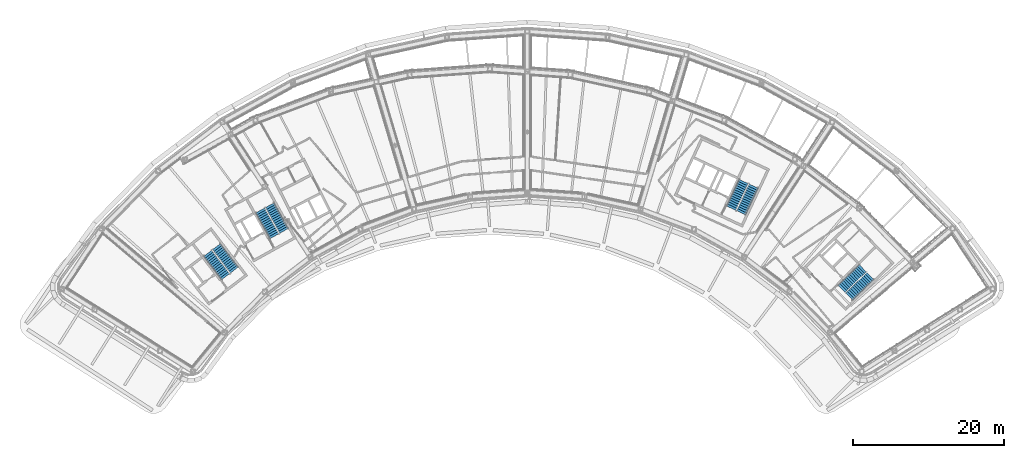
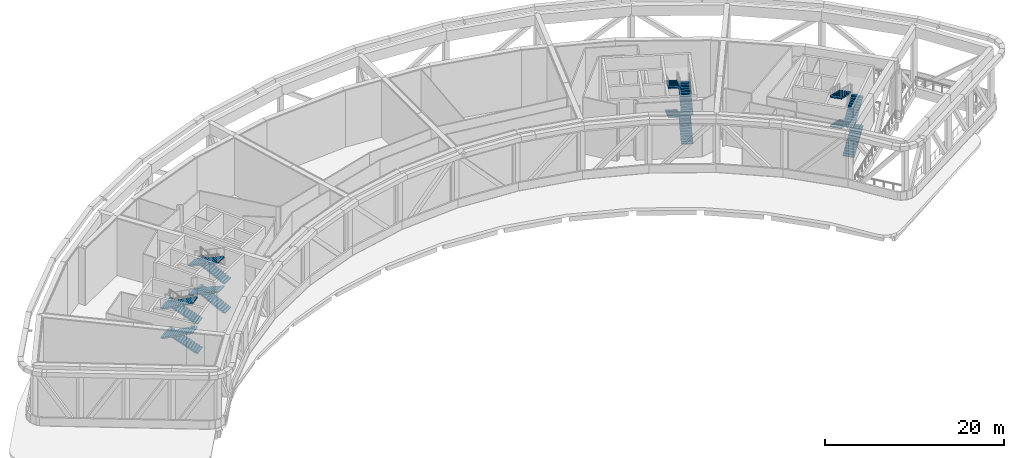
# One storey, part 13 of 27: 16 stair flights, 4 elements without a shape of their own.
"""IFC4 building model written with IfcOpenShell, lengths in metres."""

from ifc_helpers import new_model, si_unit, direction, frame, origin, place, context, subcontext, project, spatial, polyline, outline, extrude, material, type_object, element, aggregate, save


model = new_model("IFC4")

# Units and contexts
model_context = context("Model", 3, precision=1e-05, world=origin(), true_north=direction((0.0, 1.0)))
body_context = subcontext(model_context, "Body", "Model", "MODEL_VIEW")
ifc_project = project(units=[si_unit("LENGTHUNIT", "METRE"), si_unit("AREAUNIT", "SQUARE_METRE"), si_unit("VOLUMEUNIT", "CUBIC_METRE"), si_unit("PLANEANGLEUNIT", "RADIAN"), si_unit("MASSUNIT", "GRAM", prefix="KILO")], contexts=[model_context])

# Site, building, storey
site_placement = place(None, origin())
site = spatial("IfcSite", under=ifc_project, at=site_placement, CompositionType="ELEMENT")
building_placement = place(site_placement, origin())
building = spatial("IfcBuilding", under=site, at=building_placement, Name="Tuul Gate Civic Tower", CompositionType="ELEMENT")
storey_placement = place(building_placement, frame((0.0, 0.0, 201.5)))
storey = spatial("IfcBuildingStorey", under=building, at=storey_placement, Name="Wind floor 1", CompositionType="ELEMENT", Elevation=201.5)

# Stair, stair flights
ifc_material_1 = material(Name="Concrete C40/50", Category="concrete")
stair_type = type_object("IfcStairType", Name="Exit stair", PredefinedType="HALF_TURN_STAIR", material=ifc_material_1)
stair_1_placement = place(storey_placement, origin())
stair_1 = element("IfcStair", 1, at=stair_1_placement, inside=storey, type_object=stair_type, Name="Wind floor 1 ST-1", PredefinedType="HALF_TURN_STAIR")
ifc_material_2 = material(Name="Concrete C40/50", Category="concrete")
stair_flight_type = type_object("IfcStairFlightType", Name="Exit stair flight", PredefinedType="STRAIGHT", material=ifc_material_2)
stair_flight_1_placement = place(storey_placement, frame((-32.875244140625, -13.066650390625, 0.0), z_axis=(0.0, 0.0, 1.0), x_axis=(-0.605764474941, 0.795644016442, 0.0)))
stair_flight_1 = element("IfcStairFlight", 2, at=stair_flight_1_placement, type_object=stair_flight_type, Name="ST-1 flight 1", NumberOfRisers=14, NumberOfTreads=13, PredefinedType="STRAIGHT", RiserHeight=0.142857143, TreadLength=0.3, context=body_context, shape_type="SweptSolid", body=[
    extrude(outline(polyline([(0.0, 0.0), (0.0, 0.142822265625), (0.300048828125, 0.142822265625), (0.300048828125, 0.28564453125), (0.60009765625, 0.28564453125), (0.60009765625, 0.428466796875), (0.89990234375, 0.428466796875), (0.89990234375, 0.571533203125), (1.199951171875, 0.571533203125), (1.199951171875, 0.71435546875), (1.5, 0.71435546875), (1.5, 0.857177734375), (1.800048828125, 0.857177734375), (1.800048828125, 1.0), (2.10009765625, 1.0), (2.10009765625, 1.142822265625), (2.39990234375, 1.142822265625), (2.39990234375, 1.28564453125), (2.699951171875, 1.28564453125), (2.699951171875, 1.428466796875), (3.0, 1.428466796875), (3.0, 1.571533203125), (3.300048828125, 1.571533203125), (3.300048828125, 1.71435546875), (3.60009765625, 1.71435546875), (3.60009765625, 1.857177734375), (3.89990234375, 1.857177734375), (3.89990234375, 2.0), (3.89990234375, 1.691162109375), (0.3486328125, 0.0), (0.0, 0.0)])), frame((0.0, 0.675048828125, 0.0), z_axis=(0.0, -1.0, 0.0), x_axis=(1.0, 0.0, 0.0)), (0.0, 0.0, 1.0), 1.35009765625),
])
stair_flight_2_placement = place(storey_placement, frame((-36.391357421875, -10.842041015625, 2.0), z_axis=(0.0, 0.0, 1.0), x_axis=(0.605764474941, -0.795644016442, 0.0)))
stair_flight_2 = element("IfcStairFlight", 3, at=stair_flight_2_placement, type_object=stair_flight_type, Name="ST-1 flight 2", NumberOfRisers=14, NumberOfTreads=13, PredefinedType="STRAIGHT", RiserHeight=0.142857143, TreadLength=0.3, context=body_context, shape_type="SweptSolid", body=[
    extrude(outline(polyline([(0.0, 0.0), (0.0, 0.142822265625), (0.300048828125, 0.142822265625), (0.300048828125, 0.28564453125), (0.60009765625, 0.28564453125), (0.60009765625, 0.428466796875), (0.89990234375, 0.428466796875), (0.89990234375, 0.571533203125), (1.199951171875, 0.571533203125), (1.199951171875, 0.71435546875), (1.5, 0.71435546875), (1.5, 0.857177734375), (1.800048828125, 0.857177734375), (1.800048828125, 1.0), (2.10009765625, 1.0), (2.10009765625, 1.142822265625), (2.39990234375, 1.142822265625), (2.39990234375, 1.28564453125), (2.699951171875, 1.28564453125), (2.699951171875, 1.428466796875), (3.0, 1.428466796875), (3.0, 1.571533203125), (3.300048828125, 1.571533203125), (3.300048828125, 1.71435546875), (3.60009765625, 1.71435546875), (3.60009765625, 1.857177734375), (3.89990234375, 1.857177734375), (3.89990234375, 2.0), (3.89990234375, 1.691162109375), (0.3486328125, 0.0), (0.0, 0.0)])), frame((0.0, 0.675048828125, 0.0), z_axis=(0.0, -1.0, 0.0), x_axis=(1.0, 0.0, 0.0)), (0.0, 0.0, 1.0), 1.35009765625),
])
stair_flight_3_placement = place(storey_placement, frame((-32.875244140625, -13.066650390625, 4.0), z_axis=(0.0, 0.0, 1.0), x_axis=(-0.605764474941, 0.795644016442, 0.0)))
stair_flight_3 = element("IfcStairFlight", 4, at=stair_flight_3_placement, type_object=stair_flight_type, Name="ST-1 flight 3", NumberOfRisers=14, NumberOfTreads=13, PredefinedType="STRAIGHT", RiserHeight=0.142857143, TreadLength=0.3, context=body_context, shape_type="SweptSolid", body=[
    extrude(outline(polyline([(0.0, 0.0), (0.0, 0.142822265625), (0.300048828125, 0.142822265625), (0.300048828125, 0.28564453125), (0.60009765625, 0.28564453125), (0.60009765625, 0.428466796875), (0.89990234375, 0.428466796875), (0.89990234375, 0.571533203125), (1.199951171875, 0.571533203125), (1.199951171875, 0.71435546875), (1.5, 0.71435546875), (1.5, 0.857177734375), (1.800048828125, 0.857177734375), (1.800048828125, 1.0), (2.10009765625, 1.0), (2.10009765625, 1.142822265625), (2.39990234375, 1.142822265625), (2.39990234375, 1.28564453125), (2.699951171875, 1.28564453125), (2.699951171875, 1.428466796875), (3.0, 1.428466796875), (3.0, 1.571533203125), (3.300048828125, 1.571533203125), (3.300048828125, 1.71435546875), (3.60009765625, 1.71435546875), (3.60009765625, 1.857177734375), (3.89990234375, 1.857177734375), (3.89990234375, 2.0), (3.89990234375, 1.691162109375), (0.3486328125, 0.0), (0.0, 0.0)])), frame((0.0, 0.675048828125, 0.0), z_axis=(0.0, -1.0, 0.0), x_axis=(1.0, 0.0, 0.0)), (0.0, 0.0, 1.0), 1.35009765625),
])
stair_flight_4_placement = place(storey_placement, frame((-36.391357421875, -10.842041015625, 6.0), z_axis=(0.0, 0.0, 1.0), x_axis=(0.605764474941, -0.795644016442, 0.0)))
stair_flight_4 = element("IfcStairFlight", 5, at=stair_flight_4_placement, type_object=stair_flight_type, Name="ST-1 flight 4", NumberOfRisers=14, NumberOfTreads=13, PredefinedType="STRAIGHT", RiserHeight=0.142857143, TreadLength=0.3, context=body_context, shape_type="SweptSolid", body=[
    extrude(outline(polyline([(0.0, 0.0), (0.0, 0.142822265625), (0.300048828125, 0.142822265625), (0.300048828125, 0.28564453125), (0.60009765625, 0.28564453125), (0.60009765625, 0.428466796875), (0.89990234375, 0.428466796875), (0.89990234375, 0.571533203125), (1.199951171875, 0.571533203125), (1.199951171875, 0.71435546875), (1.5, 0.71435546875), (1.5, 0.857177734375), (1.800048828125, 0.857177734375), (1.800048828125, 1.0), (2.10009765625, 1.0), (2.10009765625, 1.142822265625), (2.39990234375, 1.142822265625), (2.39990234375, 1.28564453125), (2.699951171875, 1.28564453125), (2.699951171875, 1.428466796875), (3.0, 1.428466796875), (3.0, 1.571533203125), (3.300048828125, 1.571533203125), (3.300048828125, 1.71435546875), (3.60009765625, 1.71435546875), (3.60009765625, 1.857177734375), (3.89990234375, 1.857177734375), (3.89990234375, 2.0), (3.89990234375, 1.691162109375), (0.3486328125, 0.0), (0.0, 0.0)])), frame((0.0, 0.675048828125, 0.0), z_axis=(0.0, -1.0, 0.0), x_axis=(1.0, 0.0, 0.0)), (0.0, 0.0, 1.0), 1.35009765625),
])
aggregate(stair_1, [stair_flight_1, stair_flight_2, stair_flight_3, stair_flight_4])

stair_2_placement = place(storey_placement, origin())
stair_2 = element("IfcStair", 6, at=stair_2_placement, inside=storey, type_object=stair_type, Name="Wind floor 1 ST-2", PredefinedType="HALF_TURN_STAIR")
stair_flight_5_placement = place(storey_placement, frame((-26.29150390625, -7.87646484375, 0.0), z_axis=(0.0, 0.0, 1.0), x_axis=(-0.484761763766, 0.874646232708, 0.0)))
stair_flight_5 = element("IfcStairFlight", 7, at=stair_flight_5_placement, type_object=stair_flight_type, Name="ST-2 flight 1", NumberOfRisers=14, NumberOfTreads=13, PredefinedType="STRAIGHT", RiserHeight=0.142857143, TreadLength=0.3, context=body_context, shape_type="SweptSolid", body=[
    extrude(outline(polyline([(0.0, 0.0), (0.0, 0.142822265625), (0.300048828125, 0.142822265625), (0.300048828125, 0.28564453125), (0.60009765625, 0.28564453125), (0.60009765625, 0.428466796875), (0.89990234375, 0.428466796875), (0.89990234375, 0.571533203125), (1.199951171875, 0.571533203125), (1.199951171875, 0.71435546875), (1.5, 0.71435546875), (1.5, 0.857177734375), (1.800048828125, 0.857177734375), (1.800048828125, 1.0), (2.10009765625, 1.0), (2.10009765625, 1.142822265625), (2.39990234375, 1.142822265625), (2.39990234375, 1.28564453125), (2.699951171875, 1.28564453125), (2.699951171875, 1.428466796875), (3.0, 1.428466796875), (3.0, 1.571533203125), (3.300048828125, 1.571533203125), (3.300048828125, 1.71435546875), (3.60009765625, 1.71435546875), (3.60009765625, 1.857177734375), (3.89990234375, 1.857177734375), (3.89990234375, 2.0), (3.89990234375, 1.691162109375), (0.3486328125, 0.0), (0.0, 0.0)])), frame((0.0, 0.675048828125, 0.0), z_axis=(0.0, -1.0, 0.0), x_axis=(1.0, 0.0, 0.0)), (0.0, 0.0, 1.0), 1.35009765625),
])
stair_flight_6_placement = place(storey_placement, frame((-29.450439453125, -5.168212890625, 2.0), z_axis=(0.0, 0.0, 1.0), x_axis=(0.484761763766, -0.874646232708, 0.0)))
stair_flight_6 = element("IfcStairFlight", 8, at=stair_flight_6_placement, type_object=stair_flight_type, Name="ST-2 flight 2", NumberOfRisers=14, NumberOfTreads=13, PredefinedType="STRAIGHT", RiserHeight=0.142857143, TreadLength=0.3, context=body_context, shape_type="SweptSolid", body=[
    extrude(outline(polyline([(0.0, 0.0), (0.0, 0.142822265625), (0.300048828125, 0.142822265625), (0.300048828125, 0.28564453125), (0.60009765625, 0.28564453125), (0.60009765625, 0.428466796875), (0.89990234375, 0.428466796875), (0.89990234375, 0.571533203125), (1.199951171875, 0.571533203125), (1.199951171875, 0.71435546875), (1.5, 0.71435546875), (1.5, 0.857177734375), (1.800048828125, 0.857177734375), (1.800048828125, 1.0), (2.10009765625, 1.0), (2.10009765625, 1.142822265625), (2.39990234375, 1.142822265625), (2.39990234375, 1.28564453125), (2.699951171875, 1.28564453125), (2.699951171875, 1.428466796875), (3.0, 1.428466796875), (3.0, 1.571533203125), (3.300048828125, 1.571533203125), (3.300048828125, 1.71435546875), (3.60009765625, 1.71435546875), (3.60009765625, 1.857177734375), (3.89990234375, 1.857177734375), (3.89990234375, 2.0), (3.89990234375, 1.691162109375), (0.3486328125, 0.0), (0.0, 0.0)])), frame((0.0, 0.675048828125, 0.0), z_axis=(0.0, -1.0, 0.0), x_axis=(1.0, 0.0, 0.0)), (0.0, 0.0, 1.0), 1.35009765625),
])
stair_flight_7_placement = place(storey_placement, frame((-26.29150390625, -7.87646484375, 4.0), z_axis=(0.0, 0.0, 1.0), x_axis=(-0.484761763766, 0.874646232708, 0.0)))
stair_flight_7 = element("IfcStairFlight", 9, at=stair_flight_7_placement, type_object=stair_flight_type, Name="ST-2 flight 3", NumberOfRisers=14, NumberOfTreads=13, PredefinedType="STRAIGHT", RiserHeight=0.142857143, TreadLength=0.3, context=body_context, shape_type="SweptSolid", body=[
    extrude(outline(polyline([(0.0, 0.0), (0.0, 0.142822265625), (0.300048828125, 0.142822265625), (0.300048828125, 0.28564453125), (0.60009765625, 0.28564453125), (0.60009765625, 0.428466796875), (0.89990234375, 0.428466796875), (0.89990234375, 0.571533203125), (1.199951171875, 0.571533203125), (1.199951171875, 0.71435546875), (1.5, 0.71435546875), (1.5, 0.857177734375), (1.800048828125, 0.857177734375), (1.800048828125, 1.0), (2.10009765625, 1.0), (2.10009765625, 1.142822265625), (2.39990234375, 1.142822265625), (2.39990234375, 1.28564453125), (2.699951171875, 1.28564453125), (2.699951171875, 1.428466796875), (3.0, 1.428466796875), (3.0, 1.571533203125), (3.300048828125, 1.571533203125), (3.300048828125, 1.71435546875), (3.60009765625, 1.71435546875), (3.60009765625, 1.857177734375), (3.89990234375, 1.857177734375), (3.89990234375, 2.0), (3.89990234375, 1.691162109375), (0.3486328125, 0.0), (0.0, 0.0)])), frame((0.0, 0.675048828125, 0.0), z_axis=(0.0, -1.0, 0.0), x_axis=(1.0, 0.0, 0.0)), (0.0, 0.0, 1.0), 1.35009765625),
])
stair_flight_8_placement = place(storey_placement, frame((-29.450439453125, -5.168212890625, 6.0), z_axis=(0.0, 0.0, 1.0), x_axis=(0.484761763766, -0.874646232708, 0.0)))
stair_flight_8 = element("IfcStairFlight", 10, at=stair_flight_8_placement, type_object=stair_flight_type, Name="ST-2 flight 4", NumberOfRisers=14, NumberOfTreads=13, PredefinedType="STRAIGHT", RiserHeight=0.142857143, TreadLength=0.3, context=body_context, shape_type="SweptSolid", body=[
    extrude(outline(polyline([(0.0, 0.0), (0.0, 0.142822265625), (0.300048828125, 0.142822265625), (0.300048828125, 0.28564453125), (0.60009765625, 0.28564453125), (0.60009765625, 0.428466796875), (0.89990234375, 0.428466796875), (0.89990234375, 0.571533203125), (1.199951171875, 0.571533203125), (1.199951171875, 0.71435546875), (1.5, 0.71435546875), (1.5, 0.857177734375), (1.800048828125, 0.857177734375), (1.800048828125, 1.0), (2.10009765625, 1.0), (2.10009765625, 1.142822265625), (2.39990234375, 1.142822265625), (2.39990234375, 1.28564453125), (2.699951171875, 1.28564453125), (2.699951171875, 1.428466796875), (3.0, 1.428466796875), (3.0, 1.571533203125), (3.300048828125, 1.571533203125), (3.300048828125, 1.71435546875), (3.60009765625, 1.71435546875), (3.60009765625, 1.857177734375), (3.89990234375, 1.857177734375), (3.89990234375, 2.0), (3.89990234375, 1.691162109375), (0.3486328125, 0.0), (0.0, 0.0)])), frame((0.0, 0.675048828125, 0.0), z_axis=(0.0, -1.0, 0.0), x_axis=(1.0, 0.0, 0.0)), (0.0, 0.0, 1.0), 1.35009765625),
])
aggregate(stair_2, [stair_flight_5, stair_flight_6, stair_flight_7, stair_flight_8])

stair_3_placement = place(storey_placement, origin())
stair_3 = element("IfcStair", 11, at=stair_3_placement, inside=storey, type_object=stair_type, Name="Wind floor 1 ST-3", PredefinedType="HALF_TURN_STAIR")
stair_flight_9_placement = place(storey_placement, frame((48.61376953125, -16.581787109375, 0.0), z_axis=(0.0, 0.0, 1.0), x_axis=(0.714127290059, 0.700015866672, 0.0)))
stair_flight_9 = element("IfcStairFlight", 12, at=stair_flight_9_placement, type_object=stair_flight_type, Name="ST-3 flight 1", NumberOfRisers=14, NumberOfTreads=13, PredefinedType="STRAIGHT", RiserHeight=0.142857143, TreadLength=0.3, context=body_context, shape_type="SweptSolid", body=[
    extrude(outline(polyline([(0.0, 0.0), (0.0, 0.142822265625), (0.300048828125, 0.142822265625), (0.300048828125, 0.28564453125), (0.60009765625, 0.28564453125), (0.60009765625, 0.428466796875), (0.89990234375, 0.428466796875), (0.89990234375, 0.571533203125), (1.199951171875, 0.571533203125), (1.199951171875, 0.71435546875), (1.5, 0.71435546875), (1.5, 0.857177734375), (1.800048828125, 0.857177734375), (1.800048828125, 1.0), (2.10009765625, 1.0), (2.10009765625, 1.142822265625), (2.39990234375, 1.142822265625), (2.39990234375, 1.28564453125), (2.699951171875, 1.28564453125), (2.699951171875, 1.428466796875), (3.0, 1.428466796875), (3.0, 1.571533203125), (3.300048828125, 1.571533203125), (3.300048828125, 1.71435546875), (3.60009765625, 1.71435546875), (3.60009765625, 1.857177734375), (3.89990234375, 1.857177734375), (3.89990234375, 2.0), (3.89990234375, 1.691162109375), (0.3486328125, 0.0), (0.0, 0.0)])), frame((0.0, 0.675048828125, 0.0), z_axis=(0.0, -1.0, 0.0), x_axis=(1.0, 0.0, 0.0)), (0.0, 0.0, 1.0), 1.35009765625),
])
stair_flight_10_placement = place(storey_placement, frame((50.3837890625, -12.816162109375, 2.0), z_axis=(0.0, 0.0, 1.0), x_axis=(-0.714127290059, -0.700015866672, 0.0)))
stair_flight_10 = element("IfcStairFlight", 13, at=stair_flight_10_placement, type_object=stair_flight_type, Name="ST-3 flight 2", NumberOfRisers=14, NumberOfTreads=13, PredefinedType="STRAIGHT", RiserHeight=0.142857143, TreadLength=0.3, context=body_context, shape_type="SweptSolid", body=[
    extrude(outline(polyline([(0.0, 0.0), (0.0, 0.142822265625), (0.300048828125, 0.142822265625), (0.300048828125, 0.28564453125), (0.60009765625, 0.28564453125), (0.60009765625, 0.428466796875), (0.89990234375, 0.428466796875), (0.89990234375, 0.571533203125), (1.199951171875, 0.571533203125), (1.199951171875, 0.71435546875), (1.5, 0.71435546875), (1.5, 0.857177734375), (1.800048828125, 0.857177734375), (1.800048828125, 1.0), (2.10009765625, 1.0), (2.10009765625, 1.142822265625), (2.39990234375, 1.142822265625), (2.39990234375, 1.28564453125), (2.699951171875, 1.28564453125), (2.699951171875, 1.428466796875), (3.0, 1.428466796875), (3.0, 1.571533203125), (3.300048828125, 1.571533203125), (3.300048828125, 1.71435546875), (3.60009765625, 1.71435546875), (3.60009765625, 1.857177734375), (3.89990234375, 1.857177734375), (3.89990234375, 2.0), (3.89990234375, 1.691162109375), (0.3486328125, 0.0), (0.0, 0.0)])), frame((0.0, 0.675048828125, 0.0), z_axis=(0.0, -1.0, 0.0), x_axis=(1.0, 0.0, 0.0)), (0.0, 0.0, 1.0), 1.35009765625),
])
stair_flight_11_placement = place(storey_placement, frame((48.61376953125, -16.581787109375, 4.0), z_axis=(0.0, 0.0, 1.0), x_axis=(0.714127290059, 0.700015866672, 0.0)))
stair_flight_11 = element("IfcStairFlight", 14, at=stair_flight_11_placement, type_object=stair_flight_type, Name="ST-3 flight 3", NumberOfRisers=14, NumberOfTreads=13, PredefinedType="STRAIGHT", RiserHeight=0.142857143, TreadLength=0.3, context=body_context, shape_type="SweptSolid", body=[
    extrude(outline(polyline([(0.0, 0.0), (0.0, 0.142822265625), (0.300048828125, 0.142822265625), (0.300048828125, 0.28564453125), (0.60009765625, 0.28564453125), (0.60009765625, 0.428466796875), (0.89990234375, 0.428466796875), (0.89990234375, 0.571533203125), (1.199951171875, 0.571533203125), (1.199951171875, 0.71435546875), (1.5, 0.71435546875), (1.5, 0.857177734375), (1.800048828125, 0.857177734375), (1.800048828125, 1.0), (2.10009765625, 1.0), (2.10009765625, 1.142822265625), (2.39990234375, 1.142822265625), (2.39990234375, 1.28564453125), (2.699951171875, 1.28564453125), (2.699951171875, 1.428466796875), (3.0, 1.428466796875), (3.0, 1.571533203125), (3.300048828125, 1.571533203125), (3.300048828125, 1.71435546875), (3.60009765625, 1.71435546875), (3.60009765625, 1.857177734375), (3.89990234375, 1.857177734375), (3.89990234375, 2.0), (3.89990234375, 1.691162109375), (0.3486328125, 0.0), (0.0, 0.0)])), frame((0.0, 0.675048828125, 0.0), z_axis=(0.0, -1.0, 0.0), x_axis=(1.0, 0.0, 0.0)), (0.0, 0.0, 1.0), 1.35009765625),
])
stair_flight_12_placement = place(storey_placement, frame((50.3837890625, -12.816162109375, 6.0), z_axis=(0.0, 0.0, 1.0), x_axis=(-0.714127290059, -0.700015866672, 0.0)))
stair_flight_12 = element("IfcStairFlight", 15, at=stair_flight_12_placement, type_object=stair_flight_type, Name="ST-3 flight 4", NumberOfRisers=14, NumberOfTreads=13, PredefinedType="STRAIGHT", RiserHeight=0.142857143, TreadLength=0.3, context=body_context, shape_type="SweptSolid", body=[
    extrude(outline(polyline([(0.0, 0.0), (0.0, 0.142822265625), (0.300048828125, 0.142822265625), (0.300048828125, 0.28564453125), (0.60009765625, 0.28564453125), (0.60009765625, 0.428466796875), (0.89990234375, 0.428466796875), (0.89990234375, 0.571533203125), (1.199951171875, 0.571533203125), (1.199951171875, 0.71435546875), (1.5, 0.71435546875), (1.5, 0.857177734375), (1.800048828125, 0.857177734375), (1.800048828125, 1.0), (2.10009765625, 1.0), (2.10009765625, 1.142822265625), (2.39990234375, 1.142822265625), (2.39990234375, 1.28564453125), (2.699951171875, 1.28564453125), (2.699951171875, 1.428466796875), (3.0, 1.428466796875), (3.0, 1.571533203125), (3.300048828125, 1.571533203125), (3.300048828125, 1.71435546875), (3.60009765625, 1.71435546875), (3.60009765625, 1.857177734375), (3.89990234375, 1.857177734375), (3.89990234375, 2.0), (3.89990234375, 1.691162109375), (0.3486328125, 0.0), (0.0, 0.0)])), frame((0.0, 0.675048828125, 0.0), z_axis=(0.0, -1.0, 0.0), x_axis=(1.0, 0.0, 0.0)), (0.0, 0.0, 1.0), 1.35009765625),
])
aggregate(stair_3, [stair_flight_9, stair_flight_10, stair_flight_11, stair_flight_12])

stair_4_placement = place(storey_placement, origin())
stair_4 = element("IfcStair", 16, at=stair_4_placement, inside=storey, type_object=stair_type, Name="Wind floor 1 ST-4", PredefinedType="HALF_TURN_STAIR")
stair_flight_13_placement = place(storey_placement, frame((34.278564453125, -5.478515625, 0.0), z_axis=(0.0, 0.0, 1.0), x_axis=(0.422576295988, 0.906327354806, 0.0)))
stair_flight_13 = element("IfcStairFlight", 17, at=stair_flight_13_placement, type_object=stair_flight_type, Name="ST-4 flight 1", NumberOfRisers=14, NumberOfTreads=13, PredefinedType="STRAIGHT", RiserHeight=0.142857143, TreadLength=0.3, context=body_context, shape_type="SweptSolid", body=[
    extrude(outline(polyline([(0.0, 0.0), (0.0, 0.142822265625), (0.300048828125, 0.142822265625), (0.300048828125, 0.28564453125), (0.60009765625, 0.28564453125), (0.60009765625, 0.428466796875), (0.89990234375, 0.428466796875), (0.89990234375, 0.571533203125), (1.199951171875, 0.571533203125), (1.199951171875, 0.71435546875), (1.5, 0.71435546875), (1.5, 0.857177734375), (1.800048828125, 0.857177734375), (1.800048828125, 1.0), (2.10009765625, 1.0), (2.10009765625, 1.142822265625), (2.39990234375, 1.142822265625), (2.39990234375, 1.28564453125), (2.699951171875, 1.28564453125), (2.699951171875, 1.428466796875), (3.0, 1.428466796875), (3.0, 1.571533203125), (3.300048828125, 1.571533203125), (3.300048828125, 1.71435546875), (3.60009765625, 1.71435546875), (3.60009765625, 1.857177734375), (3.89990234375, 1.857177734375), (3.89990234375, 2.0), (3.89990234375, 1.691162109375), (0.3486328125, 0.0), (0.0, 0.0)])), frame((0.0, 0.675048828125, 0.0), z_axis=(0.0, -1.0, 0.0), x_axis=(1.0, 0.0, 0.0)), (0.0, 0.0, 1.0), 1.35009765625),
])
stair_flight_14_placement = place(storey_placement, frame((34.612548828125, -1.3310546875, 2.0), z_axis=(0.0, 0.0, 1.0), x_axis=(-0.422576295988, -0.906327354806, 0.0)))
stair_flight_14 = element("IfcStairFlight", 18, at=stair_flight_14_placement, type_object=stair_flight_type, Name="ST-4 flight 2", NumberOfRisers=14, NumberOfTreads=13, PredefinedType="STRAIGHT", RiserHeight=0.142857143, TreadLength=0.3, context=body_context, shape_type="SweptSolid", body=[
    extrude(outline(polyline([(0.0, 0.0), (0.0, 0.142822265625), (0.300048828125, 0.142822265625), (0.300048828125, 0.28564453125), (0.60009765625, 0.28564453125), (0.60009765625, 0.428466796875), (0.89990234375, 0.428466796875), (0.89990234375, 0.571533203125), (1.199951171875, 0.571533203125), (1.199951171875, 0.71435546875), (1.5, 0.71435546875), (1.5, 0.857177734375), (1.800048828125, 0.857177734375), (1.800048828125, 1.0), (2.10009765625, 1.0), (2.10009765625, 1.142822265625), (2.39990234375, 1.142822265625), (2.39990234375, 1.28564453125), (2.699951171875, 1.28564453125), (2.699951171875, 1.428466796875), (3.0, 1.428466796875), (3.0, 1.571533203125), (3.300048828125, 1.571533203125), (3.300048828125, 1.71435546875), (3.60009765625, 1.71435546875), (3.60009765625, 1.857177734375), (3.89990234375, 1.857177734375), (3.89990234375, 2.0), (3.89990234375, 1.691162109375), (0.3486328125, 0.0), (0.0, 0.0)])), frame((0.0, 0.675048828125, 0.0), z_axis=(0.0, -1.0, 0.0), x_axis=(1.0, 0.0, 0.0)), (0.0, 0.0, 1.0), 1.35009765625),
])
stair_flight_15_placement = place(storey_placement, frame((34.278564453125, -5.478515625, 4.0), z_axis=(0.0, 0.0, 1.0), x_axis=(0.422576295988, 0.906327354806, 0.0)))
stair_flight_15 = element("IfcStairFlight", 19, at=stair_flight_15_placement, type_object=stair_flight_type, Name="ST-4 flight 3", NumberOfRisers=14, NumberOfTreads=13, PredefinedType="STRAIGHT", RiserHeight=0.142857143, TreadLength=0.3, context=body_context, shape_type="SweptSolid", body=[
    extrude(outline(polyline([(0.0, 0.0), (0.0, 0.142822265625), (0.300048828125, 0.142822265625), (0.300048828125, 0.28564453125), (0.60009765625, 0.28564453125), (0.60009765625, 0.428466796875), (0.89990234375, 0.428466796875), (0.89990234375, 0.571533203125), (1.199951171875, 0.571533203125), (1.199951171875, 0.71435546875), (1.5, 0.71435546875), (1.5, 0.857177734375), (1.800048828125, 0.857177734375), (1.800048828125, 1.0), (2.10009765625, 1.0), (2.10009765625, 1.142822265625), (2.39990234375, 1.142822265625), (2.39990234375, 1.28564453125), (2.699951171875, 1.28564453125), (2.699951171875, 1.428466796875), (3.0, 1.428466796875), (3.0, 1.571533203125), (3.300048828125, 1.571533203125), (3.300048828125, 1.71435546875), (3.60009765625, 1.71435546875), (3.60009765625, 1.857177734375), (3.89990234375, 1.857177734375), (3.89990234375, 2.0), (3.89990234375, 1.691162109375), (0.3486328125, 0.0), (0.0, 0.0)])), frame((0.0, 0.675048828125, 0.0), z_axis=(0.0, -1.0, 0.0), x_axis=(1.0, 0.0, 0.0)), (0.0, 0.0, 1.0), 1.35009765625),
])
stair_flight_16_placement = place(storey_placement, frame((34.612548828125, -1.3310546875, 6.0), z_axis=(0.0, 0.0, 1.0), x_axis=(-0.422576295988, -0.906327354806, 0.0)))
stair_flight_16 = element("IfcStairFlight", 20, at=stair_flight_16_placement, type_object=stair_flight_type, Name="ST-4 flight 4", NumberOfRisers=14, NumberOfTreads=13, PredefinedType="STRAIGHT", RiserHeight=0.142857143, TreadLength=0.3, context=body_context, shape_type="SweptSolid", body=[
    extrude(outline(polyline([(0.0, 0.0), (0.0, 0.142822265625), (0.300048828125, 0.142822265625), (0.300048828125, 0.28564453125), (0.60009765625, 0.28564453125), (0.60009765625, 0.428466796875), (0.89990234375, 0.428466796875), (0.89990234375, 0.571533203125), (1.199951171875, 0.571533203125), (1.199951171875, 0.71435546875), (1.5, 0.71435546875), (1.5, 0.857177734375), (1.800048828125, 0.857177734375), (1.800048828125, 1.0), (2.10009765625, 1.0), (2.10009765625, 1.142822265625), (2.39990234375, 1.142822265625), (2.39990234375, 1.28564453125), (2.699951171875, 1.28564453125), (2.699951171875, 1.428466796875), (3.0, 1.428466796875), (3.0, 1.571533203125), (3.300048828125, 1.571533203125), (3.300048828125, 1.71435546875), (3.60009765625, 1.71435546875), (3.60009765625, 1.857177734375), (3.89990234375, 1.857177734375), (3.89990234375, 2.0), (3.89990234375, 1.691162109375), (0.3486328125, 0.0), (0.0, 0.0)])), frame((0.0, 0.675048828125, 0.0), z_axis=(0.0, -1.0, 0.0), x_axis=(1.0, 0.0, 0.0)), (0.0, 0.0, 1.0), 1.35009765625),
])
aggregate(stair_4, [stair_flight_13, stair_flight_14, stair_flight_15, stair_flight_16])

save(model, "model.ifc")
